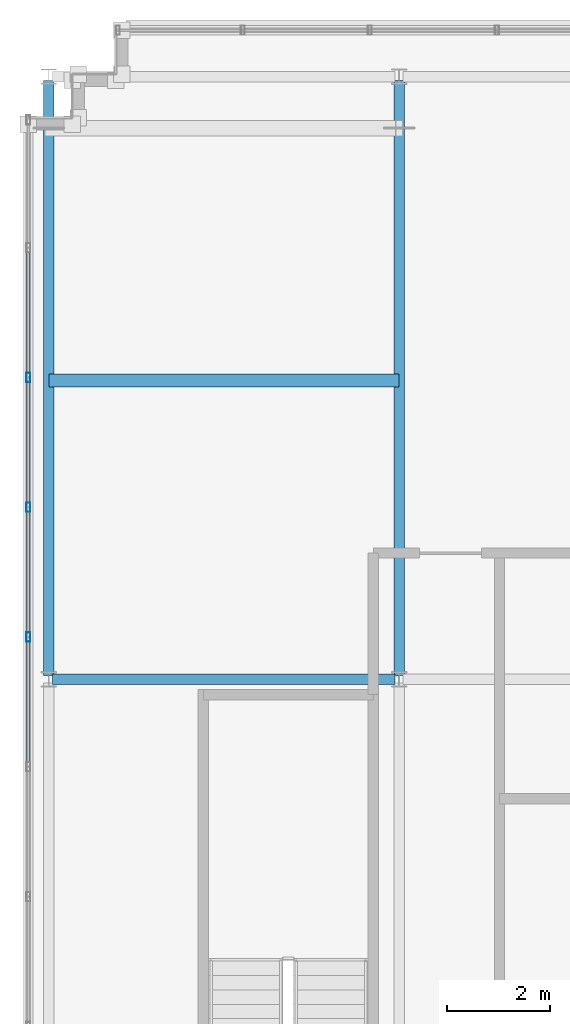
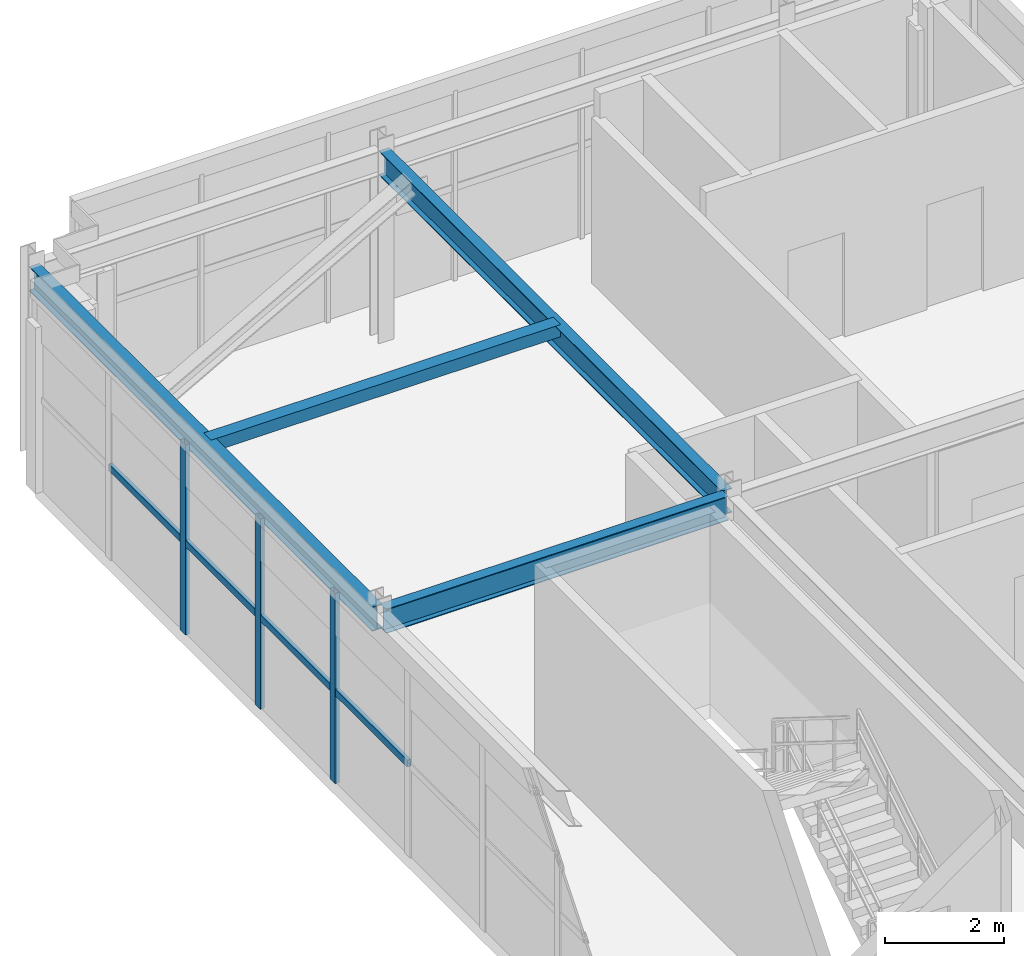
# One storey, part 7 of 25: 8 members, 3 beams, 1 element without a shape of its own.
"""IFC4 building model written with IfcOpenShell, lengths in metres."""

from ifc_helpers import new_model, si_unit, direction, frame, origin, origin_2d, place, context, subcontext, project, spatial, hollow_rectangle, i_section, extrude, source, transform, mapped, material, material_profile, profile_set, type_object, element, aggregate, save


model = new_model("IFC4")

# Units and contexts
model_context = context("Model", 3, precision=1e-05, world=origin(), true_north=direction((0.0, 1.0)))
body_context = subcontext(model_context, "Body", "Model", "MODEL_VIEW")
ifc_project = project(units=[si_unit("LENGTHUNIT", "METRE"), si_unit("AREAUNIT", "SQUARE_METRE"), si_unit("VOLUMEUNIT", "CUBIC_METRE"), si_unit("PLANEANGLEUNIT", "RADIAN"), si_unit("MASSUNIT", "GRAM", prefix="KILO")], contexts=[model_context])

# Site, building, storey
site_placement = place(None, origin())
site = spatial("IfcSite", under=ifc_project, at=site_placement, CompositionType="ELEMENT")
building_placement = place(site_placement, origin())
building = spatial("IfcBuilding", under=site, at=building_placement, Name="Trelvane Seafront Commons", CompositionType="ELEMENT")
storey_placement = place(building_placement, frame((0.0, 0.0, 316.699951171875)))
storey = spatial("IfcBuildingStorey", under=building, at=storey_placement, Name="L82", CompositionType="ELEMENT", Elevation=316.699951171875)

# Beams
ifc_material_1 = material(Name="Steel SM355 (S355)", Category="steel")
ifc_material_profile_1 = material_profile(ifc_material_1, i_section(OverallWidth=0.199951171875, OverallDepth=0.5, WebThickness=0.010009765625, FlangeThickness=0.01611328125, at=origin_2d()), Name="H-500x200x10x16")
ifc_profile_set_1 = profile_set([ifc_material_profile_1], Name="Steel SM355 (S355)")
beam_type_1 = type_object("IfcBeamType", Name="STR-CROWN-FRAME-RING", PredefinedType="SPANDREL", material=ifc_profile_set_1)
shared_shape_1 = source(origin(), body_context, "Body", "SweptSolid", [
    extrude(i_section(OverallWidth=0.199951171875, OverallDepth=0.5, WebThickness=0.010009765625, FlangeThickness=0.01611328125, at=origin_2d()), origin(), (0.0, 0.0, 1.0), 6.64990234375),
])
beam_placement = place(storey_placement, frame((8.875, 33.39990234375, 3.66015625), z_axis=(1.0, 0.0, 0.0), x_axis=(0.0, 1.0, 0.0)))
element("IfcBeam", 1, at=beam_placement, inside=storey, type_object=beam_type_1, Name="L82 CROWN FRAME Ring Beam G-05", PredefinedType="SPANDREL", context=body_context, shape_type="MappedRepresentation", body=[
    mapped(shared_shape_1, transform((0.0, 0.0, 0.0), x_axis=(1.0, 0.0, 0.0), y_axis=(0.0, 1.0, 0.0), z_axis=(0.0, 0.0, 1.0), scale=1.0)),
])
ifc_material_profile_2 = material_profile(ifc_material_1, i_section(OverallWidth=0.199951171875, OverallDepth=0.5, WebThickness=0.010009765625, FlangeThickness=0.01611328125, at=origin_2d()), Name="H-500x200x10x16")
ifc_profile_set_2 = profile_set([ifc_material_profile_2], Name="Steel SM355 (S355)")
beam_type_2 = type_object("IfcBeamType", Name="STR-BM-H500", PredefinedType="BEAM", material=ifc_profile_set_2)
shared_shape_2 = source(origin(), body_context, "Body", "SweptSolid", [
    extrude(i_section(OverallWidth=0.199951171875, OverallDepth=0.5, WebThickness=0.010009765625, FlangeThickness=0.01611328125, at=origin_2d()), origin(), (0.0, 0.0, 1.0), 11.5498046875),
])
for number, where, z_axis, x_axis, name in (
    (2, (8.800048828125, 33.47509765625, 3.66015625), (0.0, 1.0, 0.0), (-1.0, 0.0, 0.0), "L82 Primary Girder G-14"),
    (3, (15.60009765625, 33.47509765625, 3.66015625), (0.0, 1.0, 0.0), (-1.0, 0.0, 0.0), "L82 Primary Girder G-16"),
):
    element("IfcBeam", number, at=place(storey_placement, frame(where, z_axis=z_axis, x_axis=x_axis)), inside=storey, type_object=beam_type_2, Name=name, PredefinedType="BEAM", context=body_context, shape_type="MappedRepresentation", body=[
        mapped(shared_shape_2, transform((0.0, 0.0, 0.0), x_axis=(1.0, 0.0, 0.0), y_axis=(0.0, 1.0, 0.0), z_axis=(0.0, 0.0, 1.0), scale=1.0)),
    ])

# Member
ifc_material_profile_3 = material_profile(ifc_material_1, hollow_rectangle(XDim=0.25, YDim=0.25, WallThickness=0.010009765625, at=origin_2d()), Name="RHS-250x250x10")
ifc_profile_set_3 = profile_set([ifc_material_profile_3], Name="Steel SM355 (S355)")
member_type_1 = type_object("IfcMemberType", Name="STR-PUR-RHS250", PredefinedType="PURLIN", material=ifc_profile_set_3)
shared_shape_3 = source(origin(), body_context, "Body", "SweptSolid", [
    extrude(hollow_rectangle(XDim=0.25, YDim=0.25, WallThickness=0.010009765625, at=origin_2d()), origin(), (0.0, 0.0, 1.0), 6.800048828125),
])
member_1_placement = place(storey_placement, frame((8.800048828125, 39.199951171875, 3.78515625), z_axis=(1.0, 0.0, 0.0), x_axis=(0.0, 1.0, 0.0)))
element("IfcMember", 4, at=member_1_placement, inside=storey, type_object=member_type_1, Name="L82 Crown Roof Purlin PR-1", PredefinedType="PURLIN", context=body_context, shape_type="MappedRepresentation", body=[
    mapped(shared_shape_3, transform((0.0, 0.0, 0.0), x_axis=(1.0, 0.0, 0.0), y_axis=(0.0, 1.0, 0.0), z_axis=(0.0, 0.0, 1.0), scale=1.0)),
])

# Curtain wall, members
ifc_material_2 = material(Name="Anodised pale-silver aluminium", Category="aluminium")
curtain_wall_type = type_object("IfcCurtainWallType", Name="ARCH-CW6-CROWN", PredefinedType="NOTDEFINED", material=ifc_material_2)
curtain_wall_placement = place(storey_placement, origin())
curtain_wall = element("IfcCurtainWall", 5, at=curtain_wall_placement, inside=storey, type_object=curtain_wall_type, Name="CW-L82-0152", PredefinedType="NOTDEFINED")
ifc_material_profile_4 = material_profile(ifc_material_2, hollow_rectangle(XDim=0.080078125, YDim=0.179931640625, WallThickness=0.00439453125, at=origin_2d()), Name="MULL-80x180x4.5")
ifc_profile_set_4 = profile_set([ifc_material_profile_4], Name="Anodised pale-silver aluminium")
member_type_2 = type_object("IfcMemberType", Name="ARCH-CW-MULL-180", PredefinedType="MULLION", material=ifc_profile_set_4)
shared_shape_4 = source(origin(), body_context, "Body", "SweptSolid", [
    extrude(hollow_rectangle(XDim=0.080078125, YDim=0.179931640625, WallThickness=0.00439453125, at=origin_2d()), origin(), (0.0, 0.0, 1.0), 3.91015625),
])
member_2_placement = place(storey_placement, frame((8.39990234375, 34.219970703125, 0.0), z_axis=(0.0, 0.0, 1.0), x_axis=(1.0, 0.0, 0.0)))
member_2 = element("IfcMember", 6, at=member_2_placement, type_object=member_type_2, Name="CW-L82-0152-M06", PredefinedType="MULLION", context=body_context, shape_type="MappedRepresentation", body=[
    mapped(shared_shape_4, transform((0.0, 0.0, 0.0), x_axis=(1.0, 0.0, 0.0), y_axis=(0.0, 1.0, 0.0), z_axis=(0.0, 0.0, 1.0), scale=1.0)),
])
member_3_placement = place(storey_placement, frame((8.39990234375, 36.739990234375, 0.0), z_axis=(0.0, 0.0, 1.0), x_axis=(1.0, 0.0, 0.0)))
member_3 = element("IfcMember", 7, at=member_3_placement, type_object=member_type_2, Name="CW-L82-0152-M07", PredefinedType="MULLION", context=body_context, shape_type="MappedRepresentation", body=[
    mapped(shared_shape_4, transform((0.0, 0.0, 0.0), x_axis=(1.0, 0.0, 0.0), y_axis=(0.0, 1.0, 0.0), z_axis=(0.0, 0.0, 1.0), scale=1.0)),
])
member_4_placement = place(storey_placement, frame((8.39990234375, 39.260009765625, 0.0), z_axis=(0.0, 0.0, 1.0), x_axis=(1.0, 0.0, 0.0)))
member_4 = element("IfcMember", 8, at=member_4_placement, type_object=member_type_2, Name="CW-L82-0152-M08", PredefinedType="MULLION", context=body_context, shape_type="MappedRepresentation", body=[
    mapped(shared_shape_4, transform((0.0, 0.0, 0.0), x_axis=(1.0, 0.0, 0.0), y_axis=(0.0, 1.0, 0.0), z_axis=(0.0, 0.0, 1.0), scale=1.0)),
])
ifc_material_profile_5 = material_profile(ifc_material_2, hollow_rectangle(XDim=0.074951171875, YDim=0.139892578125, WallThickness=0.00390625, at=origin_2d()), Name="TRAN-75x140x4")
ifc_profile_set_5 = profile_set([ifc_material_profile_5], Name="Anodised pale-silver aluminium")
member_type_3 = type_object("IfcMemberType", Name="ARCH-CW-TRAN-140", PredefinedType="USERDEFINED", material=ifc_profile_set_5)
shared_shape_5 = source(origin(), body_context, "Body", "SweptSolid", [
    extrude(hollow_rectangle(XDim=0.074951171875, YDim=0.139892578125, WallThickness=0.00390625, at=origin_2d()), origin(), (0.0, 0.0, 1.0), 2.49609375),
])
member_5_placement = place(storey_placement, frame((8.39990234375, 31.7119140625, 1.876953125), z_axis=(0.0, 1.0, 0.0), x_axis=(-1.0, 0.0, 0.0)))
member_5 = element("IfcMember", 9, at=member_5_placement, type_object=member_type_3, Name="CW-L82-0152-T05", ObjectType="TRANSOM", PredefinedType="USERDEFINED", context=body_context, shape_type="MappedRepresentation", body=[
    mapped(shared_shape_5, transform((0.0, 0.0, 0.0), x_axis=(1.0, 0.0, 0.0), y_axis=(0.0, 1.0, 0.0), z_axis=(0.0, 0.0, 1.0), scale=1.0)),
])
member_6_placement = place(storey_placement, frame((8.39990234375, 34.23193359375, 1.876953125), z_axis=(0.0, 1.0, 0.0), x_axis=(-1.0, 0.0, 0.0)))
member_6 = element("IfcMember", 10, at=member_6_placement, type_object=member_type_3, Name="CW-L82-0152-T06", ObjectType="TRANSOM", PredefinedType="USERDEFINED", context=body_context, shape_type="MappedRepresentation", body=[
    mapped(shared_shape_5, transform((0.0, 0.0, 0.0), x_axis=(1.0, 0.0, 0.0), y_axis=(0.0, 1.0, 0.0), z_axis=(0.0, 0.0, 1.0), scale=1.0)),
])
member_7_placement = place(storey_placement, frame((8.39990234375, 36.751953125, 1.876953125), z_axis=(0.0, 1.0, 0.0), x_axis=(-1.0, 0.0, 0.0)))
member_7 = element("IfcMember", 11, at=member_7_placement, type_object=member_type_3, Name="CW-L82-0152-T07", ObjectType="TRANSOM", PredefinedType="USERDEFINED", context=body_context, shape_type="MappedRepresentation", body=[
    mapped(shared_shape_5, transform((0.0, 0.0, 0.0), x_axis=(1.0, 0.0, 0.0), y_axis=(0.0, 1.0, 0.0), z_axis=(0.0, 0.0, 1.0), scale=1.0)),
])
member_8_placement = place(storey_placement, frame((8.39990234375, 39.27197265625, 1.876953125), z_axis=(0.0, 1.0, 0.0), x_axis=(-1.0, 0.0, 0.0)))
member_8 = element("IfcMember", 12, at=member_8_placement, type_object=member_type_3, Name="CW-L82-0152-T08", ObjectType="TRANSOM", PredefinedType="USERDEFINED", context=body_context, shape_type="MappedRepresentation", body=[
    mapped(shared_shape_5, transform((0.0, 0.0, 0.0), x_axis=(1.0, 0.0, 0.0), y_axis=(0.0, 1.0, 0.0), z_axis=(0.0, 0.0, 1.0), scale=1.0)),
])
aggregate(curtain_wall, [member_2, member_3, member_4, member_5, member_6, member_7, member_8])

save(model, "model.ifc")
